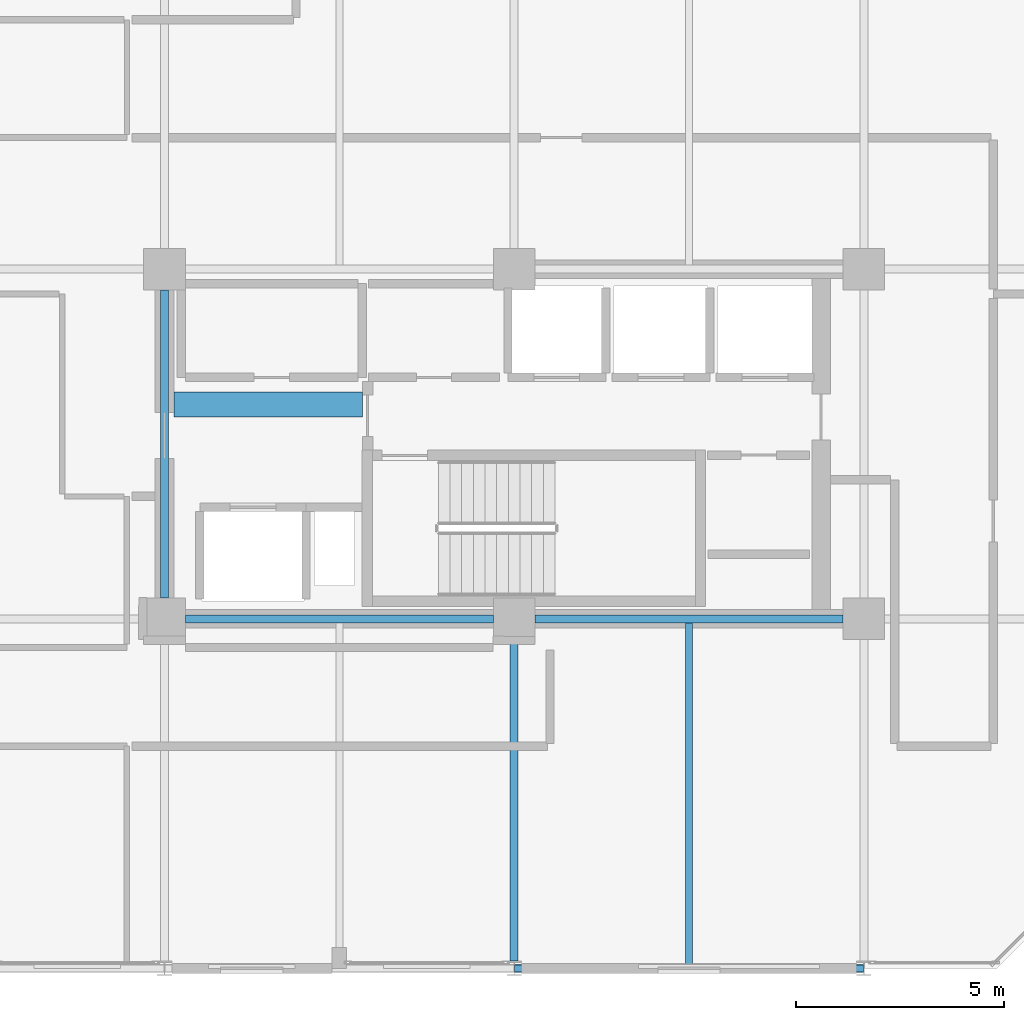
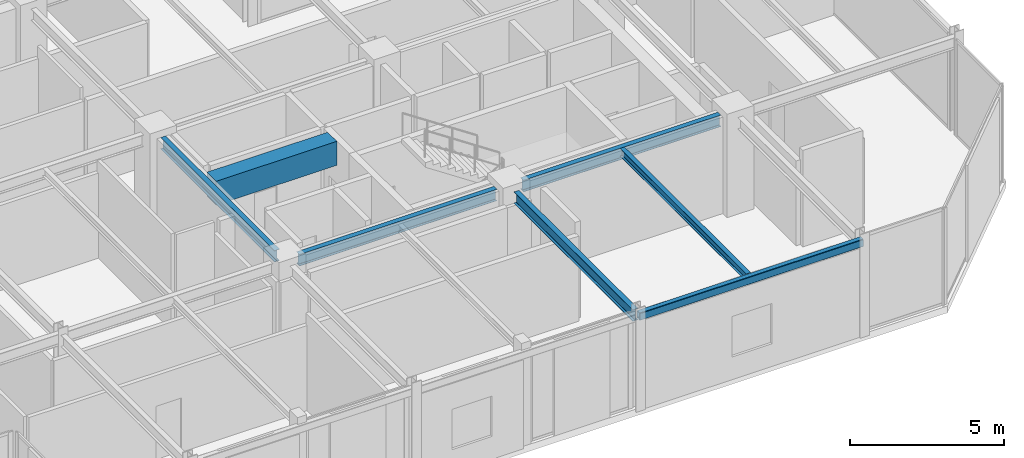
# One storey, part 7 of 25: 7 beams.
"""IFC4 building model written with IfcOpenShell, lengths in metres."""

from ifc_helpers import new_model, si_unit, direction, frame, origin, origin_2d, place, context, subcontext, project, spatial, rectangle, hollow_rectangle, i_section, extrude, material, material_profile, profile_set, type_object, element, save


model = new_model("IFC4")

# Units and contexts
model_context = context("Model", 3, precision=1e-05, world=origin(), true_north=direction((0.0, 1.0)))
body_context = subcontext(model_context, "Body", "Model", "MODEL_VIEW")
ifc_project = project(units=[si_unit("LENGTHUNIT", "METRE"), si_unit("AREAUNIT", "SQUARE_METRE"), si_unit("VOLUMEUNIT", "CUBIC_METRE"), si_unit("PLANEANGLEUNIT", "RADIAN"), si_unit("MASSUNIT", "GRAM", prefix="KILO")], contexts=[model_context])

# Site, building, storey
site_placement = place(None, origin())
site = spatial("IfcSite", under=ifc_project, at=site_placement, CompositionType="ELEMENT")
building_placement = place(site_placement, origin())
building = spatial("IfcBuilding", under=site, at=building_placement, Name="Nerrivon Quay Data Exchange", CompositionType="ELEMENT")
storey_placement = place(building_placement, frame((0.0, 0.0, 232.89990234375)))
storey = spatial("IfcBuildingStorey", under=building, at=storey_placement, Name="L55", CompositionType="ELEMENT", Elevation=232.89990234375)

# Beams
ifc_material_1 = material(Name="Concrete N50 (50 MPa)", Category="concrete")
ifc_material_profile_1 = material_profile(ifc_material_1, rectangle(XDim=0.60009765625, YDim=0.949951171875, at=origin_2d()), Name="RC-CB-600x950")
ifc_profile_set_1 = profile_set([ifc_material_profile_1], Name="Concrete N50 (50 MPa)")
beam_type_1 = type_object("IfcBeamType", Name="BM-CB2-600x950", PredefinedType="LINTEL", material=ifc_profile_set_1)
beam_1_placement = place(storey_placement, frame((17.02490234375, 13.550048828125, 3.35009765625), z_axis=(1.0, 0.0, 0.0), x_axis=(0.0, 1.0, 0.0)))
element("IfcBeam", 1, at=beam_1_placement, inside=storey, type_object=beam_type_1, Name="L55 East Core Coupling Beam", PredefinedType="LINTEL", context=body_context, shape_type="SweptSolid", body=[
    extrude(rectangle(XDim=0.60009765625, YDim=0.949951171875, at=origin_2d()), origin(), (0.0, 0.0, 1.0), 4.530029296875),
])
ifc_material_2 = material(Name="Steel Grade 350", Category="steel")
ifc_material_profile_2 = material_profile(ifc_material_2, i_section(OverallWidth=0.19091796875, OverallDepth=0.4599609375, WebThickness=0.010009765625, FlangeThickness=0.01611328125, FilletRadius=0.011474609375, at=origin_2d()), Name="460UB82.1")
ifc_profile_set_2 = profile_set([ifc_material_profile_2], Name="Steel Grade 350")
beam_type_2 = type_object("IfcBeamType", Name="BM-G5-460UB82", PredefinedType="BEAM", material=ifc_profile_set_2)
beam_2_placement = place(storey_placement, frame((17.300048828125, 8.39990234375, 3.59521484375), z_axis=(1.0, 0.0, 0.0), x_axis=(0.0, 1.0, 0.0)))
element("IfcBeam", 2, at=beam_2_placement, inside=storey, type_object=beam_type_2, Name="L55 EW Girder Y=8.4 (16.8..25.2)", PredefinedType="BEAM", context=body_context, shape_type="SweptSolid", body=[
    extrude(i_section(OverallWidth=0.19091796875, OverallDepth=0.4599609375, WebThickness=0.010009765625, FlangeThickness=0.01611328125, FilletRadius=0.011474609375, at=origin_2d()), origin(), (0.0, 0.0, 1.0), 7.39990234375),
])
beam_3_placement = place(storey_placement, frame((25.699951171875, 8.39990234375, 3.59521484375), z_axis=(1.0, 0.0, 0.0), x_axis=(0.0, 1.0, 0.0)))
element("IfcBeam", 3, at=beam_3_placement, inside=storey, type_object=beam_type_2, Name="L55 EW Girder Y=8.4 (25.2..33.6)", PredefinedType="BEAM", context=body_context, shape_type="SweptSolid", body=[
    extrude(i_section(OverallWidth=0.19091796875, OverallDepth=0.4599609375, WebThickness=0.010009765625, FlangeThickness=0.01611328125, FilletRadius=0.011474609375, at=origin_2d()), origin(), (0.0, 0.0, 1.0), 7.400146484375),
])
ifc_material_profile_3 = material_profile(ifc_material_2, i_section(OverallWidth=0.18994140625, OverallDepth=0.4541015625, WebThickness=0.008544921875, FlangeThickness=0.0126953125, FilletRadius=0.011474609375, at=origin_2d()), Name="460UB67.1")
ifc_profile_set_3 = profile_set([ifc_material_profile_3], Name="Steel Grade 350")
beam_type_3 = type_object("IfcBeamType", Name="BM-G6-460UB67", PredefinedType="BEAM", material=ifc_profile_set_3)
beam_4_placement = place(storey_placement, frame((16.800048828125, 8.89990234375, 3.59814453125), z_axis=(0.0, 1.0, 0.0), x_axis=(-1.0, 0.0, 0.0)))
element("IfcBeam", 4, at=beam_4_placement, inside=storey, type_object=beam_type_3, Name="L55 NS Girder X=16.8 (8.4..16.8)", PredefinedType="BEAM", context=body_context, shape_type="SweptSolid", body=[
    extrude(i_section(OverallWidth=0.18994140625, OverallDepth=0.4541015625, WebThickness=0.008544921875, FlangeThickness=0.0126953125, FilletRadius=0.011474609375, at=origin_2d()), origin(), (0.0, 0.0, 1.0), 7.400146484375),
])
beam_5_placement = place(storey_placement, frame((25.199951171875, 0.175048828125, 3.59814453125), z_axis=(0.0, 1.0, 0.0), x_axis=(-1.0, 0.0, 0.0)))
element("IfcBeam", 5, at=beam_5_placement, inside=storey, type_object=beam_type_3, Name="L55 NS Girder X=25.2 (0.0..8.4)", PredefinedType="BEAM", context=body_context, shape_type="SweptSolid", body=[
    extrude(i_section(OverallWidth=0.18994140625, OverallDepth=0.4541015625, WebThickness=0.008544921875, FlangeThickness=0.0126953125, FilletRadius=0.011474609375, at=origin_2d()), origin(), (0.0, 0.0, 1.0), 7.724853515625),
])
ifc_material_profile_4 = material_profile(ifc_material_2, i_section(OverallWidth=0.166015625, OverallDepth=0.306884765625, WebThickness=0.006591796875, FlangeThickness=0.01171875, FilletRadius=0.011474609375, at=origin_2d()), Name="310UB46.2")
ifc_profile_set_4 = profile_set([ifc_material_profile_4], Name="Steel Grade 350")
beam_type_4 = type_object("IfcBeamType", Name="BM-J5-310UB46", PredefinedType="JOIST", material=ifc_profile_set_4)
beam_6_placement = place(storey_placement, frame((29.39990234375, 0.10009765625, 3.671630859375), z_axis=(0.0, 1.0, 0.0), x_axis=(-1.0, 0.0, 0.0)))
element("IfcBeam", 6, at=beam_6_placement, inside=storey, type_object=beam_type_4, Name="L55 Secondary Joist X=29.4 (0.0..8.4)", PredefinedType="JOIST", context=body_context, shape_type="SweptSolid", body=[
    extrude(i_section(OverallWidth=0.166015625, OverallDepth=0.306884765625, WebThickness=0.006591796875, FlangeThickness=0.01171875, FilletRadius=0.011474609375, at=origin_2d()), origin(), (0.0, 0.0, 1.0), 8.204345703125),
])
ifc_material_3 = material(Name="Steel Grade C350L0 (350 MPa)", Category="steel")
ifc_material_profile_5 = material_profile(ifc_material_3, hollow_rectangle(XDim=0.199951171875, YDim=0.300048828125, WallThickness=0.012451171875, InnerFilletRadius=0.018798828125, OuterFilletRadius=0.03125, at=origin_2d()), Name="300x200x12.5RHS")
ifc_profile_set_5 = profile_set([ifc_material_profile_5], Name="Steel Grade C350L0 (350 MPa)")
beam_type_5 = type_object("IfcBeamType", Name="BM-SP3-300x200RHS", PredefinedType="SPANDREL", material=ifc_profile_set_5)
beam_7_placement = place(storey_placement, frame((25.2099609375, 0.0, 3.675048828125), z_axis=(1.0, 0.0, 0.0), x_axis=(0.0, 1.0, 0.0)))
element("IfcBeam", 7, at=beam_7_placement, inside=storey, type_object=beam_type_5, Name="L55 EW Girder Y=0.0 (25.2..33.6)", PredefinedType="SPANDREL", context=body_context, shape_type="SweptSolid", body=[
    extrude(hollow_rectangle(XDim=0.199951171875, YDim=0.300048828125, WallThickness=0.012451171875, InnerFilletRadius=0.018798828125, OuterFilletRadius=0.03125, at=origin_2d()), origin(), (0.0, 0.0, 1.0), 8.380126953125),
])

save(model, "model.ifc")
